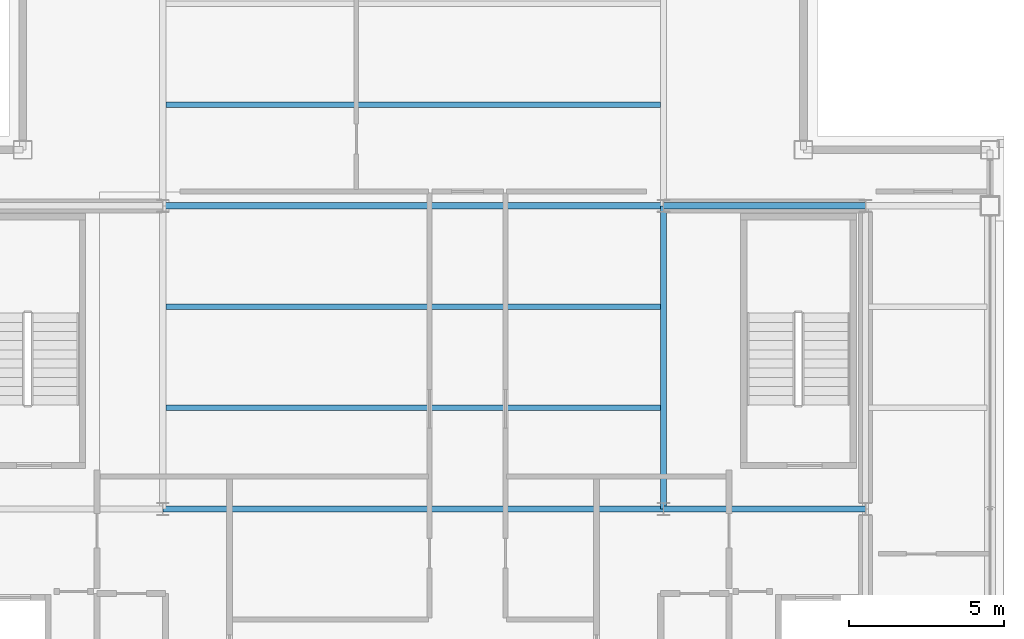
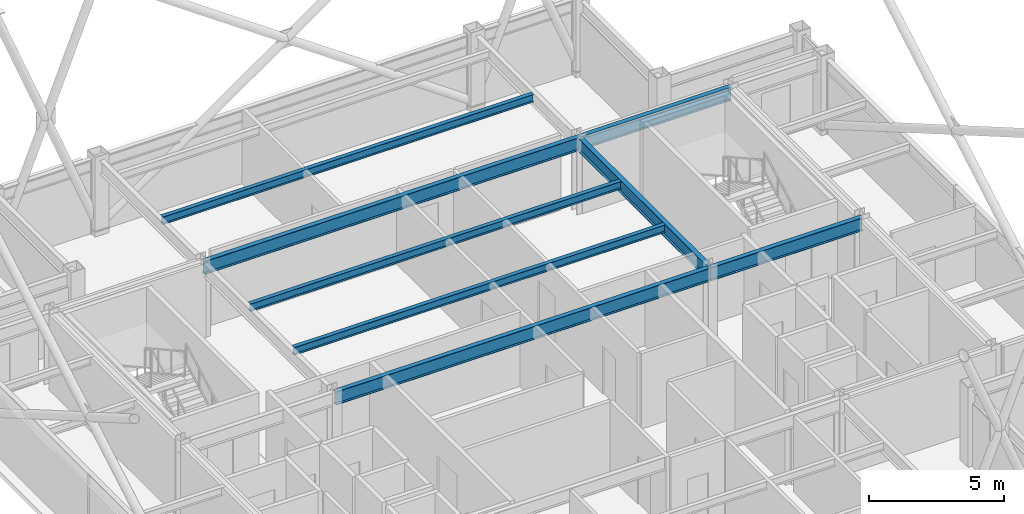
# One storey, part 11 of 24: 8 beams.
"""IFC4 building model written with IfcOpenShell, lengths in metres."""

from ifc_helpers import new_model, si_unit, direction, frame, origin, origin_2d, place, context, subcontext, project, spatial, i_section, extrude, material, material_profile, profile_set, type_object, element, save


model = new_model("IFC4")

# Units and contexts
model_context = context("Model", 3, precision=1e-05, world=origin(), true_north=direction((0.0, 1.0)))
body_context = subcontext(model_context, "Body", "Model", "MODEL_VIEW")
ifc_project = project(units=[si_unit("LENGTHUNIT", "METRE"), si_unit("AREAUNIT", "SQUARE_METRE"), si_unit("VOLUMEUNIT", "CUBIC_METRE"), si_unit("PLANEANGLEUNIT", "RADIAN"), si_unit("MASSUNIT", "GRAM", prefix="KILO")], contexts=[model_context])

# Site, building, storey
site_placement = place(None, origin())
site = spatial("IfcSite", under=ifc_project, at=site_placement, CompositionType="ELEMENT")
building_placement = place(site_placement, origin())
building = spatial("IfcBuilding", under=site, at=building_placement, Name="Brelmoor Portico Tower", CompositionType="ELEMENT")
storey_placement = place(building_placement, frame((0.0, 0.0, 268.800048828125)))
storey = spatial("IfcBuildingStorey", under=building, at=storey_placement, Name="L71", CompositionType="ELEMENT", Elevation=268.800048828125)

# Beams
ifc_material = material(Name="Steel Q355B", Category="steel")
ifc_material_profile_1 = material_profile(ifc_material, i_section(OverallWidth=0.175048828125, OverallDepth=0.35009765625, WebThickness=0.007080078125, FlangeThickness=0.010986328125, at=origin_2d()), Name="HN 350x175x7x11")
ifc_profile_set_1 = profile_set([ifc_material_profile_1], Name="Steel Q355B")
beam_type_1 = type_object("IfcBeamType", Name="BM-JS-350", PredefinedType="JOIST", material=ifc_profile_set_1)
for number, where, z_axis, x_axis, name in (
    (1, (-7.949951171875, 3.25, 3.224853515625), (1.0, 0.0, 0.0), (0.0, 1.0, 0.0), "L71 Secondary Composite Joist JS-C03"),
    (2, (-7.949951171875, 6.5, 3.224853515625), (1.0, 0.0, 0.0), (0.0, 1.0, 0.0), "L71 Secondary Composite Joist JS-C04"),
    (3, (-7.949951171875, 13.0, 3.224853515625), (1.0, 0.0, 0.0), (0.0, 1.0, 0.0), "L71 Secondary Composite Joist JS-C05"),
):
    element("IfcBeam", number, at=place(storey_placement, frame(where, z_axis=z_axis, x_axis=x_axis)), inside=storey, type_object=beam_type_1, Name=name, PredefinedType="JOIST", context=body_context, shape_type="SweptSolid", body=[
        extrude(i_section(OverallWidth=0.175048828125, OverallDepth=0.35009765625, WebThickness=0.007080078125, FlangeThickness=0.010986328125, at=origin_2d()), origin(), (0.0, 0.0, 1.0), 15.89990234375),
    ])
ifc_material_profile_2 = material_profile(ifc_material, i_section(OverallWidth=0.199951171875, OverallDepth=0.60009765625, WebThickness=0.010986328125, FlangeThickness=0.01708984375, at=origin_2d()), Name="HN 600x200x11x17")
ifc_profile_set_2 = profile_set([ifc_material_profile_2], Name="Steel Q355B")
beam_type_2 = type_object("IfcBeamType", Name="BM-PG-600", PredefinedType="BEAM", material=ifc_profile_set_2)
beam_1_placement = place(storey_placement, frame((8.050048828125, 0.0, 3.099853515625), z_axis=(0.0, 1.0, 0.0), x_axis=(-1.0, 0.0, 0.0)))
element("IfcBeam", 4, at=beam_1_placement, inside=storey, type_object=beam_type_2, Name="L71 Primary Floor Girder PG-07", PredefinedType="BEAM", context=body_context, shape_type="SweptSolid", body=[
    extrude(i_section(OverallWidth=0.199951171875, OverallDepth=0.60009765625, WebThickness=0.010986328125, FlangeThickness=0.01708984375, at=origin_2d()), origin(), (0.0, 0.0, 1.0), 9.75),
])
beam_2_placement = place(storey_placement, frame((-8.050048828125, 0.0, 3.099853515625), z_axis=(1.0, 0.0, 0.0), x_axis=(0.0, 1.0, 0.0)))
element("IfcBeam", 5, at=beam_2_placement, inside=storey, type_object=beam_type_2, Name="L71 Primary Floor Girder PG-17", PredefinedType="BEAM", context=body_context, shape_type="SweptSolid", body=[
    extrude(i_section(OverallWidth=0.199951171875, OverallDepth=0.60009765625, WebThickness=0.010986328125, FlangeThickness=0.01708984375, at=origin_2d()), origin(), (0.0, 0.0, 1.0), 16.10009765625),
])
beam_3_placement = place(storey_placement, frame((8.050048828125, 0.0, 3.099853515625), z_axis=(1.0, 0.0, 0.0), x_axis=(0.0, 1.0, 0.0)))
element("IfcBeam", 6, at=beam_3_placement, inside=storey, type_object=beam_type_2, Name="L71 Primary Floor Girder PG-18", PredefinedType="BEAM", context=body_context, shape_type="SweptSolid", body=[
    extrude(i_section(OverallWidth=0.199951171875, OverallDepth=0.60009765625, WebThickness=0.010986328125, FlangeThickness=0.01708984375, at=origin_2d()), origin(), (0.0, 0.0, 1.0), 6.5),
])
beam_4_placement = place(storey_placement, frame((-8.050048828125, 9.75, 3.099853515625), z_axis=(1.0, 0.0, 0.0), x_axis=(0.0, 1.0, 0.0)))
element("IfcBeam", 7, at=beam_4_placement, inside=storey, type_object=beam_type_2, Name="L71 Primary Floor Girder PG-21", PredefinedType="BEAM", context=body_context, shape_type="SweptSolid", body=[
    extrude(i_section(OverallWidth=0.199951171875, OverallDepth=0.60009765625, WebThickness=0.010986328125, FlangeThickness=0.01708984375, at=origin_2d()), origin(), (0.0, 0.0, 1.0), 16.10009765625),
])
beam_5_placement = place(storey_placement, frame((8.050048828125, 9.75, 3.099853515625), z_axis=(1.0, 0.0, 0.0), x_axis=(0.0, 1.0, 0.0)))
element("IfcBeam", 8, at=beam_5_placement, inside=storey, type_object=beam_type_2, Name="L71 Primary Floor Girder PG-22", PredefinedType="BEAM", context=body_context, shape_type="SweptSolid", body=[
    extrude(i_section(OverallWidth=0.199951171875, OverallDepth=0.60009765625, WebThickness=0.010986328125, FlangeThickness=0.01708984375, at=origin_2d()), origin(), (0.0, 0.0, 1.0), 6.5),
])

save(model, "model.ifc")
